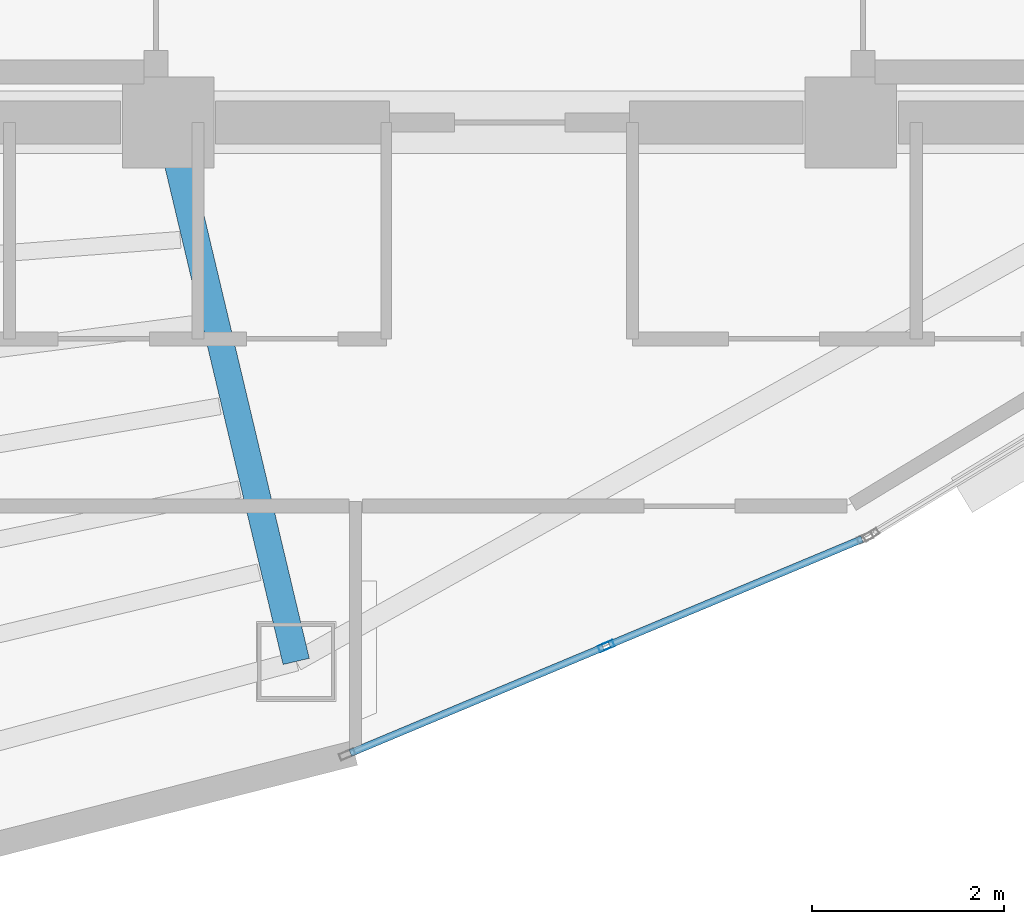
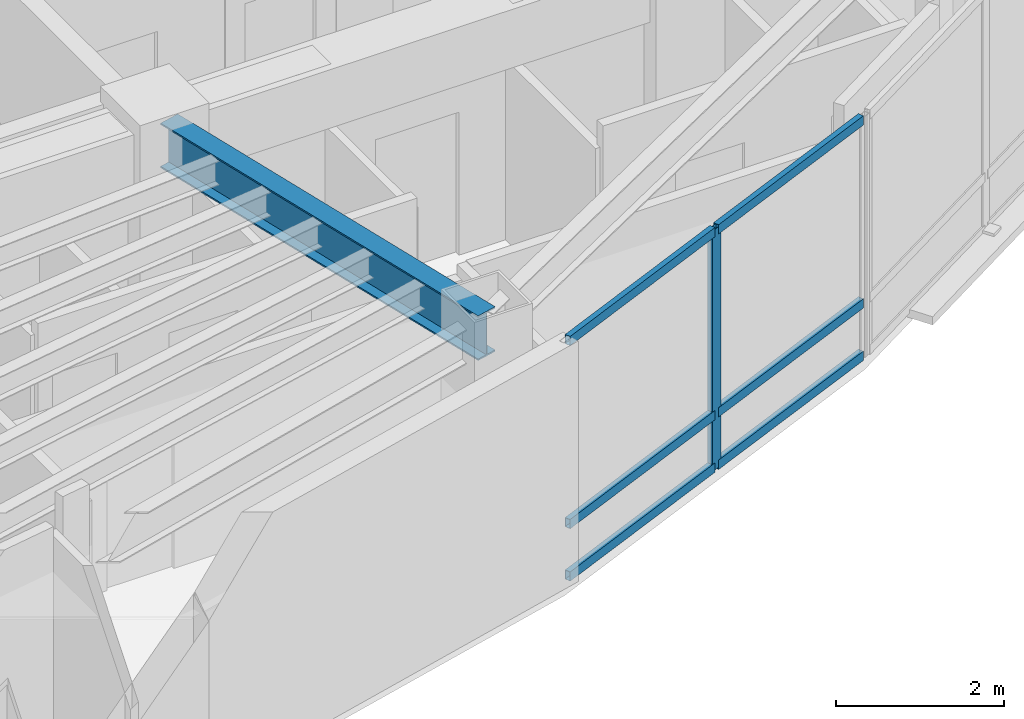
# One storey, part 3 of 15: 7 members, 1 beam, 1 element without a shape of its own.
"""IFC4 building model written with IfcOpenShell, lengths in metres."""

from ifc_helpers import new_model, si_unit, direction, frame, origin, origin_2d, place, context, subcontext, project, spatial, hollow_rectangle, i_section, extrude, material, layer, layer_set, material_profile, profile_set, type_object, element, aggregate, save


model = new_model("IFC4")

# Units and contexts
model_context = context("Model", 3, precision=1e-05, world=origin(), true_north=direction((0.0, 1.0)))
body_context = subcontext(model_context, "Body", "Model", "MODEL_VIEW")
ifc_project = project(units=[si_unit("LENGTHUNIT", "METRE"), si_unit("AREAUNIT", "SQUARE_METRE"), si_unit("VOLUMEUNIT", "CUBIC_METRE"), si_unit("PLANEANGLEUNIT", "RADIAN"), si_unit("MASSUNIT", "GRAM", prefix="KILO")], contexts=[model_context])

# Site, building, storey
site_placement = place(None, origin())
site = spatial("IfcSite", under=ifc_project, at=site_placement, CompositionType="ELEMENT")
building_placement = place(site_placement, origin())
building = spatial("IfcBuilding", under=site, at=building_placement, Name="Menara Vayukalpa", CompositionType="ELEMENT")
storey_placement = place(building_placement, frame((0.0, 0.0, 291.780029296875)))
storey = spatial("IfcBuildingStorey", under=building, at=storey_placement, Name="L74", CompositionType="ELEMENT", Elevation=291.780029296875)

# Beam
ifc_material_1 = material(Name="Steel S355", Category="steel")
ifc_material_profile_1 = material_profile(ifc_material_1, i_section(OverallWidth=0.280029296875, OverallDepth=0.64990234375, WebThickness=0.012939453125, FlangeThickness=0.02197265625, at=origin_2d()), Name="WF 650x280x13x22")
ifc_profile_set_1 = profile_set([ifc_material_profile_1], Name="Steel S355")
beam_type = type_object("IfcBeamType", Name="BM-PG6", PredefinedType="BEAM", material=ifc_profile_set_1)
beam_placement = place(storey_placement, frame((22.10791015625, 16.956787109375, 3.175048828125), z_axis=(0.231167310854, -0.972914011818, 0.0), x_axis=(0.972914011818, 0.231167310854, 0.0)))
element("IfcBeam", 1, at=beam_placement, inside=storey, type_object=beam_type, Name="L74 Primary Radial Girder RG08", PredefinedType="BEAM", context=body_context, shape_type="SweptSolid", body=[
    extrude(i_section(OverallWidth=0.280029296875, OverallDepth=0.64990234375, WebThickness=0.012939453125, FlangeThickness=0.02197265625, at=origin_2d()), origin(), (0.0, 0.0, 1.0), 5.5107421875),
])

# Curtain wall, members
ifc_material_2 = material(Name="Anodised Terracotta Aluminium Alloy 6063-T6", Category="masonry")
ifc_layer = layer(ifc_material_2, 0.1650390625)
ifc_layer_set = layer_set([ifc_layer], Name="Anodised Terracotta Aluminium Alloy 6063-T6")
curtain_wall_type = type_object("IfcCurtainWallType", Name="CW-CW6", PredefinedType="USERDEFINED", material=ifc_layer_set)
curtain_wall_placement = place(storey_placement, origin())
curtain_wall = element("IfcCurtainWall", 2, at=curtain_wall_placement, inside=storey, type_object=curtain_wall_type, Name="L74 Observation and Executive Curtain Wall CW6 16", ObjectType="UNITISED", PredefinedType="USERDEFINED")
ifc_material_3 = material(Name="Anodised Terracotta Aluminium Alloy 6063-T6", Category="masonry")
ifc_material_profile_2 = material_profile(ifc_material_3, hollow_rectangle(XDim=0.070068359375, YDim=0.1650390625, WallThickness=0.00390625, at=origin_2d()), Name="ALU 70x165x4")
ifc_profile_set_2 = profile_set([ifc_material_profile_2], Name="Anodised Terracotta Aluminium Alloy 6063-T6")
member_type_1 = type_object("IfcMemberType", Name="CWM-CW6", PredefinedType="MULLION", material=ifc_profile_set_2)
member_1_placement = place(storey_placement, frame((26.60595703125, 11.7548828125, 0.0), z_axis=(0.0, 0.0, 1.0), x_axis=(-0.385899911703, 0.922540653927, 0.0)))
member_1 = element("IfcMember", 3, at=member_1_placement, type_object=member_type_1, Name="CW6 mullion 2", PredefinedType="MULLION", context=body_context, shape_type="SweptSolid", body=[
    extrude(hollow_rectangle(XDim=0.070068359375, YDim=0.1650390625, WallThickness=0.00390625, at=origin_2d()), origin(), (0.0, 0.0, 1.0), 3.5),
])
ifc_material_4 = material(Name="Anodised Terracotta Aluminium Alloy 6063-T6", Category="masonry")
ifc_material_profile_3 = material_profile(ifc_material_4, hollow_rectangle(XDim=0.074951171875, YDim=0.135009765625, WallThickness=0.00390625, at=origin_2d()), Name="ALU 75x135x4")
ifc_profile_set_3 = profile_set([ifc_material_profile_3], Name="Anodised Terracotta Aluminium Alloy 6063-T6")
member_type_2 = type_object("IfcMemberType", Name="CWT-CW6", PredefinedType="USERDEFINED", material=ifc_profile_set_3)
member_2_placement = place(storey_placement, frame((23.945556640625, 10.64208984375, 0.037353515625), z_axis=(0.922541050276, 0.38589896418, 0.0), x_axis=(-0.38589896418, 0.922541050276, 0.0)))
member_2 = element("IfcMember", 4, at=member_2_placement, type_object=member_type_2, Name="CW6 transom 1.1", ObjectType="TRANSOM", PredefinedType="USERDEFINED", context=body_context, shape_type="SweptSolid", body=[
    extrude(hollow_rectangle(XDim=0.074951171875, YDim=0.135009765625, WallThickness=0.00390625, at=origin_2d()), origin(), (0.0, 0.0, 1.0), 2.848876953125),
])
member_3_placement = place(storey_placement, frame((23.945556640625, 10.64208984375, 0.800048828125), z_axis=(0.922541050276, 0.38589896418, 0.0), x_axis=(-0.38589896418, 0.922541050276, 0.0)))
member_3 = element("IfcMember", 5, at=member_3_placement, type_object=member_type_2, Name="CW6 transom 1.2", ObjectType="TRANSOM", PredefinedType="USERDEFINED", context=body_context, shape_type="SweptSolid", body=[
    extrude(hollow_rectangle(XDim=0.074951171875, YDim=0.135009765625, WallThickness=0.00390625, at=origin_2d()), origin(), (0.0, 0.0, 1.0), 2.848876953125),
])
member_4_placement = place(storey_placement, frame((23.945556640625, 10.64208984375, 3.46240234375), z_axis=(0.922541050276, 0.38589896418, 0.0), x_axis=(-0.38589896418, 0.922541050276, 0.0)))
member_4 = element("IfcMember", 6, at=member_4_placement, type_object=member_type_2, Name="CW6 transom 1.3", ObjectType="TRANSOM", PredefinedType="USERDEFINED", context=body_context, shape_type="SweptSolid", body=[
    extrude(hollow_rectangle(XDim=0.074951171875, YDim=0.135009765625, WallThickness=0.00390625, at=origin_2d()), origin(), (0.0, 0.0, 1.0), 2.848876953125),
])
member_5_placement = place(storey_placement, frame((26.638427734375, 11.768310546875, 0.037353515625), z_axis=(0.922528286758, 0.385929475592, 0.0), x_axis=(-0.385929475592, 0.922528286758, 0.0)))
member_5 = element("IfcMember", 7, at=member_5_placement, type_object=member_type_2, Name="CW6 transom 2.1", ObjectType="TRANSOM", PredefinedType="USERDEFINED", context=body_context, shape_type="SweptSolid", body=[
    extrude(hollow_rectangle(XDim=0.074951171875, YDim=0.135009765625, WallThickness=0.00390625, at=origin_2d()), origin(), (0.0, 0.0, 1.0), 2.8486328125),
])
member_6_placement = place(storey_placement, frame((26.638427734375, 11.768310546875, 0.800048828125), z_axis=(0.922528286758, 0.385929475592, 0.0), x_axis=(-0.385929475592, 0.922528286758, 0.0)))
member_6 = element("IfcMember", 8, at=member_6_placement, type_object=member_type_2, Name="CW6 transom 2.2", ObjectType="TRANSOM", PredefinedType="USERDEFINED", context=body_context, shape_type="SweptSolid", body=[
    extrude(hollow_rectangle(XDim=0.074951171875, YDim=0.135009765625, WallThickness=0.00390625, at=origin_2d()), origin(), (0.0, 0.0, 1.0), 2.8486328125),
])
member_7_placement = place(storey_placement, frame((26.638427734375, 11.768310546875, 3.46240234375), z_axis=(0.922528286758, 0.385929475592, 0.0), x_axis=(-0.385929475592, 0.922528286758, 0.0)))
member_7 = element("IfcMember", 9, at=member_7_placement, type_object=member_type_2, Name="CW6 transom 2.3", ObjectType="TRANSOM", PredefinedType="USERDEFINED", context=body_context, shape_type="SweptSolid", body=[
    extrude(hollow_rectangle(XDim=0.074951171875, YDim=0.135009765625, WallThickness=0.00390625, at=origin_2d()), origin(), (0.0, 0.0, 1.0), 2.8486328125),
])
aggregate(curtain_wall, [member_1, member_2, member_3, member_4, member_5, member_6, member_7])

save(model, "model.ifc")
